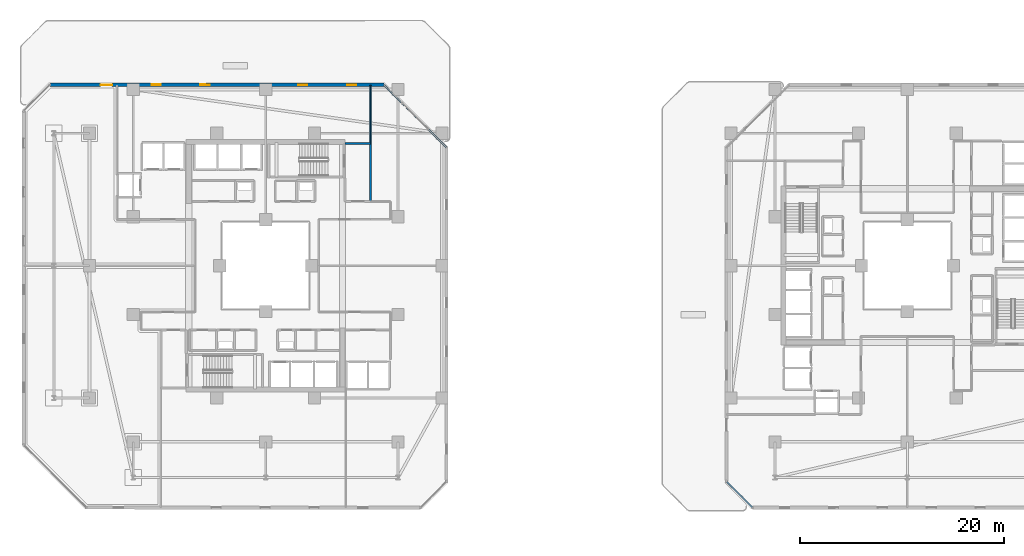
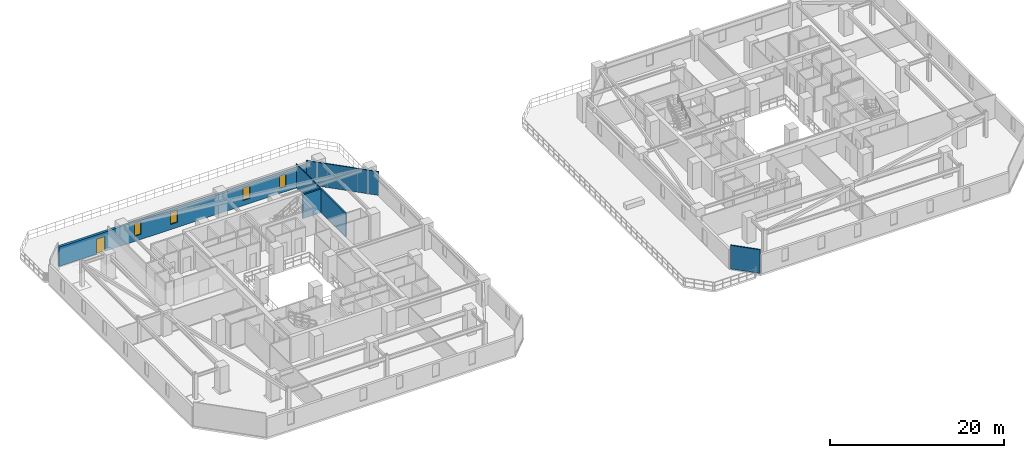
# One storey, part 21 of 31: 6 walls, 4 windows, 1 door, 5 openings.
"""IFC4 building model written with IfcOpenShell, lengths in metres."""

from ifc_helpers import new_model, si_unit, direction, frame, frame_2d, origin, place, context, subcontext, project, spatial, rectangle, extrude, material, layer, layer_set, type_object, element, fill, save


model = new_model("IFC4")

# Units and contexts
model_context = context("Model", 3, precision=1e-05, world=origin(), true_north=direction((0.0, 1.0)))
body_context = subcontext(model_context, "Body", "Model", "MODEL_VIEW")
ifc_project = project(units=[si_unit("LENGTHUNIT", "METRE"), si_unit("AREAUNIT", "SQUARE_METRE"), si_unit("VOLUMEUNIT", "CUBIC_METRE"), si_unit("PLANEANGLEUNIT", "RADIAN"), si_unit("MASSUNIT", "GRAM", prefix="KILO")], contexts=[model_context])

# Site, building, storey
site_placement = place(None, origin())
site = spatial("IfcSite", under=ifc_project, at=site_placement, CompositionType="ELEMENT")
building_placement = place(site_placement, origin())
building = spatial("IfcBuilding", under=site, at=building_placement, Name="Thornwick Lancets Civic Towers", CompositionType="ELEMENT")
storey_placement = place(building_placement, frame((0.0, 0.0, 119.699951171875)))
storey = spatial("IfcBuildingStorey", under=building, at=storey_placement, Name="L31", CompositionType="ELEMENT", Elevation=119.699951171875)

# Walls
ifc_material_1 = material(Name="Concrete blockwork C40/50", Category="masonry")
ifc_layer_1 = layer(ifc_material_1, 0.199951171875, Name="Concrete blockwork C40/50")
ifc_layer_set_1 = layer_set([ifc_layer_1], Name="Concrete blockwork C40/50")
wall_type_1 = type_object("IfcWallType", Name="WALL_COMP_200", PredefinedType="STANDARD", material=ifc_layer_set_1)
wall_1_placement = place(storey_placement, frame((35.800048828125, 33.300048828125, 0.0), z_axis=(0.0, 0.0, 1.0), x_axis=(0.0, 1.0, 0.0)))
element("IfcWall", 1, at=wall_1_placement, inside=storey, type_object=wall_type_1, Name="L31 Partition L31-A-FFLOB2 E2", PredefinedType="STANDARD", context=body_context, shape_type="SweptSolid", body=[
    extrude(rectangle(XDim=5.699951171875, YDim=0.199951171875, at=frame_2d((2.85009765625, 0.0))), origin(), (0.0, 0.0, 1.0), 3.320068359375),
])
wall_2_placement = place(storey_placement, frame((35.800048828125, 39.0, 0.0), z_axis=(0.0, 0.0, 1.0), x_axis=(-1.0, 0.0, 0.0)))
element("IfcWall", 2, at=wall_2_placement, inside=storey, type_object=wall_type_1, Name="L31 Partition L31-A-FFLOB2 E3", PredefinedType="STANDARD", context=body_context, shape_type="SweptSolid", body=[
    extrude(rectangle(XDim=2.5, YDim=0.199951171875, at=frame_2d((1.25, 0.0))), origin(), (0.0, 0.0, 1.0), 3.320068359375),
])

# Wall, openings, door, windows
ifc_material_2 = material(Name="Insulated buff terracotta rainscreen on concrete C40/50", Category="masonry")
ifc_layer_2 = layer(ifc_material_2, 0.320068359375, Name="Insulated buff terracotta rainscreen on concrete C40/50")
ifc_layer_set_2 = layer_set([ifc_layer_2], Name="Insulated buff terracotta rainscreen on concrete C40/50")
wall_type_2 = type_object("IfcWallType", Name="WALL_EXT_TERRA_320", PredefinedType="STANDARD", material=ifc_layer_set_2)
wall_3_placement = place(storey_placement, frame((37.096435546875, 44.752685546875, 0.0), z_axis=(0.0, 0.0, 1.0), x_axis=(-0.999999933399, 0.000364968916, 0.0)))
wall_3 = element("IfcWall", 3, at=wall_3_placement, inside=storey, type_object=wall_type_2, Name="L31 Tower A Terracotta Facade Wall E4", PredefinedType="STANDARD", context=body_context, shape_type="SweptSolid", body=[
    extrude(rectangle(XDim=32.77783203125, YDim=0.320068359375, at=frame_2d((16.388916015625, 0.0))), origin(), (0.0, 0.0, 1.0), 2.699951171875),
])
opening_1_placement = place(wall_3_placement, frame((26.663818359375, 0.0, 0.0)))
opening_1 = element("IfcOpeningElement", 4, at=opening_1_placement, cuts=wall_3, Name="Opening D-SG-L31-A4", PredefinedType="OPENING", context=body_context, shape_type="SweptSolid", body=[
    extrude(rectangle(XDim=1.14990234375, YDim=2.10009765625, at=frame_2d((0.574951171875, 1.050048828125))), frame((0.0, 0.169921875, 0.0), z_axis=(0.0, -1.0, 0.0), x_axis=(1.0, 0.0, 0.0)), (0.0, 0.0, 1.0), 0.340087890625),
])
opening_2_placement = place(wall_3_placement, frame((2.699951171875, 0.0, 0.719970703125)))
opening_2 = element("IfcOpeningElement", 5, at=opening_2_placement, cuts=wall_3, Name="Opening WL-01", PredefinedType="OPENING", context=body_context, shape_type="SweptSolid", body=[
    extrude(rectangle(XDim=0.89990234375, YDim=1.75, at=frame_2d((0.449951171875, 0.875))), frame((0.0, 0.169921875, 0.0), z_axis=(0.0, -1.0, 0.0), x_axis=(1.0, 0.0, 0.0)), (0.0, 0.0, 1.0), 0.340087890625),
])
opening_3_placement = place(wall_3_placement, frame((7.5, 0.0, 0.719970703125)))
opening_3 = element("IfcOpeningElement", 6, at=opening_3_placement, cuts=wall_3, Name="Opening WL-01", PredefinedType="OPENING", context=body_context, shape_type="SweptSolid", body=[
    extrude(rectangle(XDim=0.89990234375, YDim=1.75, at=frame_2d((0.449951171875, 0.875))), frame((0.0, 0.169921875, 0.0), z_axis=(0.0, -1.0, 0.0), x_axis=(1.0, 0.0, 0.0)), (0.0, 0.0, 1.0), 0.340087890625),
])
opening_4_placement = place(wall_3_placement, frame((17.10009765625, 0.0, 0.719970703125)))
opening_4 = element("IfcOpeningElement", 7, at=opening_4_placement, cuts=wall_3, Name="Opening WL-01", PredefinedType="OPENING", context=body_context, shape_type="SweptSolid", body=[
    extrude(rectangle(XDim=0.89990234375, YDim=1.75, at=frame_2d((0.449951171875, 0.875))), frame((0.0, 0.169921875, 0.0), z_axis=(0.0, -1.0, 0.0), x_axis=(1.0, 0.0, 0.0)), (0.0, 0.0, 1.0), 0.340087890625),
])
opening_5_placement = place(wall_3_placement, frame((21.89990234375, 0.0, 0.719970703125)))
opening_5 = element("IfcOpeningElement", 8, at=opening_5_placement, cuts=wall_3, Name="Opening WL-01", PredefinedType="OPENING", context=body_context, shape_type="SweptSolid", body=[
    extrude(rectangle(XDim=0.89990234375, YDim=1.75, at=frame_2d((0.449951171875, 0.875))), frame((0.0, 0.169921875, 0.0), z_axis=(0.0, -1.0, 0.0), x_axis=(1.0, 0.0, 0.0)), (0.0, 0.0, 1.0), 0.340087890625),
])
ifc_material_3 = material(Name="Thermally broken glazed terrace doorset")
door_type = type_object("IfcDoorType", Name="DOOR_TERRACE_1200", OperationType="NOTDEFINED", PredefinedType="DOOR", material=ifc_material_3)
door_placement = place(opening_1_placement, origin())
door = element("IfcDoor", 9, at=door_placement, inside=storey, type_object=door_type, Name="L31 Tower A Sky-Garden Terrace Door", OperationType="SINGLE_SWING_RIGHT", OverallHeight=2.10009765625, OverallWidth=1.14990234375, PredefinedType="DOOR", context=body_context, shape_type="SweptSolid", body=[
    extrude(rectangle(XDim=1.14990234375, YDim=2.10009765625, at=frame_2d((0.574951171875, 1.050048828125))), frame((0.0, 0.02490234375, 0.0), z_axis=(0.0, -1.0, 0.0), x_axis=(1.0, 0.0, 0.0)), (0.0, 0.0, 1.0), 0.050048828125),
])
fill(opening_1, door)
ifc_material_4 = material(Name="Clear low-e double glazing in bronze frame", Category="glass")
window_type = type_object("IfcWindowType", Name="WIN_LANCET_900", PartitioningType="SINGLE_PANEL", PredefinedType="WINDOW", material=ifc_material_4)
window_1_placement = place(opening_2_placement, origin())
window_1 = element("IfcWindow", 10, at=window_1_placement, inside=storey, type_object=window_type, Name="L31 Tower A Staggered Lancet Window E4-1", OverallHeight=1.75, OverallWidth=0.89990234375, PartitioningType="SINGLE_PANEL", PredefinedType="WINDOW", context=body_context, shape_type="SweptSolid", body=[
    extrude(rectangle(XDim=0.89990234375, YDim=1.75, at=frame_2d((0.449951171875, 0.875))), frame((0.0, 0.030029296875, 0.0), z_axis=(0.0, -1.0, 0.0), x_axis=(1.0, 0.0, 0.0)), (0.0, 0.0, 1.0), 0.06005859375),
])
fill(opening_2, window_1)
window_2_placement = place(opening_3_placement, origin())
window_2 = element("IfcWindow", 11, at=window_2_placement, inside=storey, type_object=window_type, Name="L31 Tower A Staggered Lancet Window E4-2", OverallHeight=1.75, OverallWidth=0.89990234375, PartitioningType="SINGLE_PANEL", PredefinedType="WINDOW", context=body_context, shape_type="SweptSolid", body=[
    extrude(rectangle(XDim=0.89990234375, YDim=1.75, at=frame_2d((0.449951171875, 0.875))), frame((0.0, 0.030029296875, 0.0), z_axis=(0.0, -1.0, 0.0), x_axis=(1.0, 0.0, 0.0)), (0.0, 0.0, 1.0), 0.06005859375),
])
fill(opening_3, window_2)
window_3_placement = place(opening_4_placement, origin())
window_3 = element("IfcWindow", 12, at=window_3_placement, inside=storey, type_object=window_type, Name="L31 Tower A Staggered Lancet Window E4-3", OverallHeight=1.75, OverallWidth=0.89990234375, PartitioningType="SINGLE_PANEL", PredefinedType="WINDOW", context=body_context, shape_type="SweptSolid", body=[
    extrude(rectangle(XDim=0.89990234375, YDim=1.75, at=frame_2d((0.449951171875, 0.875))), frame((0.0, 0.030029296875, 0.0), z_axis=(0.0, -1.0, 0.0), x_axis=(1.0, 0.0, 0.0)), (0.0, 0.0, 1.0), 0.06005859375),
])
fill(opening_4, window_3)
window_4_placement = place(opening_5_placement, origin())
window_4 = element("IfcWindow", 13, at=window_4_placement, inside=storey, type_object=window_type, Name="L31 Tower A Staggered Lancet Window E4-4", OverallHeight=1.75, OverallWidth=0.89990234375, PartitioningType="SINGLE_PANEL", PredefinedType="WINDOW", context=body_context, shape_type="SweptSolid", body=[
    extrude(rectangle(XDim=0.89990234375, YDim=1.75, at=frame_2d((0.449951171875, 0.875))), frame((0.0, 0.030029296875, 0.0), z_axis=(0.0, -1.0, 0.0), x_axis=(1.0, 0.0, 0.0)), (0.0, 0.0, 1.0), 0.06005859375),
])
fill(opening_5, window_4)

# Walls
ifc_material_5 = material(Name="Acoustic gypsum board partition")
ifc_layer_3 = layer(ifc_material_5, 0.1201171875, Name="Acoustic gypsum board partition")
ifc_layer_set_3 = layer_set([ifc_layer_3], Name="Acoustic gypsum board partition")
wall_type_3 = type_object("IfcWallType", Name="WALL_PART_120", PredefinedType="PARTITIONING", material=ifc_layer_set_3)
wall_4_placement = place(storey_placement, frame((35.800048828125, 39.0, 0.0), z_axis=(0.0, 0.0, 1.0), x_axis=(0.0, 1.0, 0.0)))
element("IfcWall", 14, at=wall_4_placement, inside=storey, type_object=wall_type_3, Name="L31 Partition L31-A-E3 E6", PredefinedType="PARTITIONING", context=body_context, shape_type="SweptSolid", body=[
    extrude(rectangle(XDim=5.719970703125, YDim=0.1201171875, at=frame_2d((2.85986328125, 0.0))), origin(), (0.0, 0.0, 1.0), 3.320068359375),
])
wall_5_placement = place(storey_placement, frame((37.12548828125, 44.719970703125, 0.0), z_axis=(0.0, 0.0, 1.0), x_axis=(0.707106781187, -0.707106781187, 0.0)))
element("IfcWall", 15, at=wall_5_placement, inside=storey, type_object=wall_type_3, Name="L31 Partition L31-A-E3 E8", PredefinedType="PARTITIONING", context=body_context, shape_type="SweptSolid", body=[
    extrude(rectangle(XDim=8.618896484375, YDim=0.1201171875, at=frame_2d((4.3095703125, 0.0))), origin(), (0.0, 0.0, 1.0), 3.320068359375),
])
ifc_material_6 = material(Name="Twin-stud acoustic gypsum board")
ifc_layer_4 = layer(ifc_material_6, 0.14990234375, Name="Twin-stud acoustic gypsum board")
ifc_layer_set_4 = layer_set([ifc_layer_4], Name="Twin-stud acoustic gypsum board")
wall_type_4 = type_object("IfcWallType", Name="WALL_PART_150", PredefinedType="PARTITIONING", material=ifc_layer_set_4)
wall_6_placement = place(storey_placement, frame((73.274658203125, 3.280029296875, 0.0), z_axis=(0.0, 0.0, 1.0), x_axis=(-0.707106781187, 0.707106781187, 0.0)))
element("IfcWall", 16, at=wall_6_placement, inside=storey, type_object=wall_type_4, Name="L31 Partition L31-B-W2 E5", PredefinedType="PARTITIONING", context=body_context, shape_type="SweptSolid", body=[
    extrude(rectangle(XDim=3.52783203125, YDim=0.14990234375, at=frame_2d((1.763916015625, 0.0))), origin(), (0.0, 0.0, 1.0), 3.320068359375),
])

save(model, "model.ifc")
